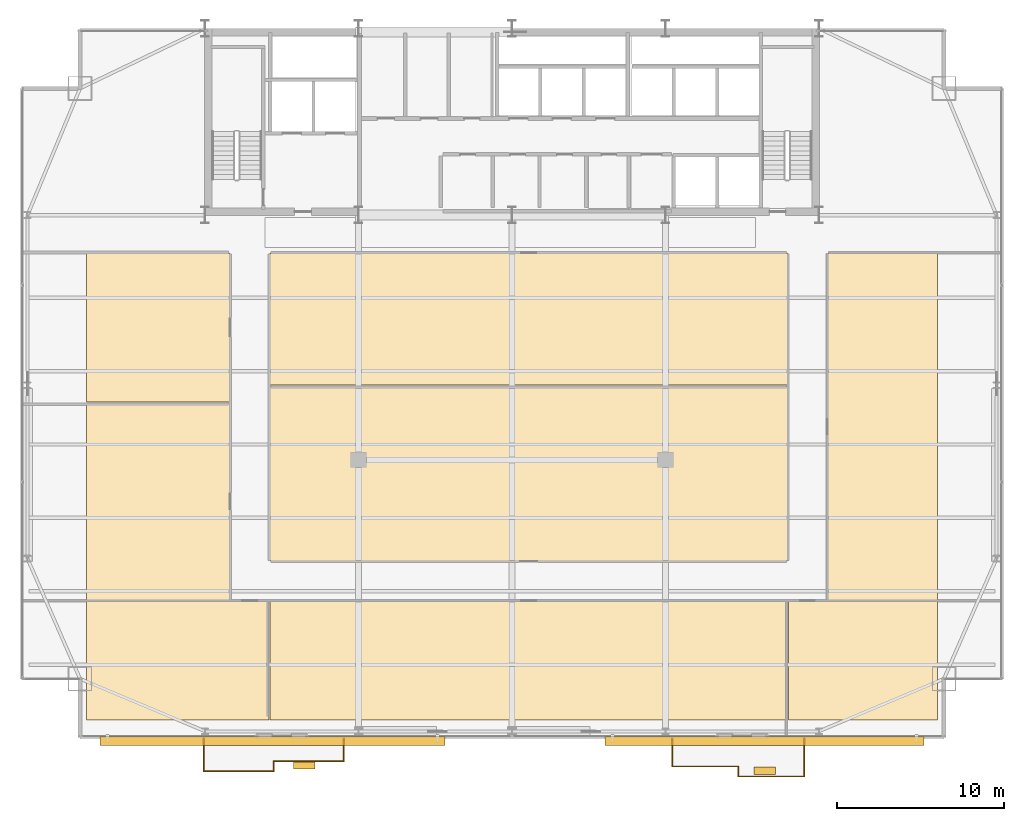
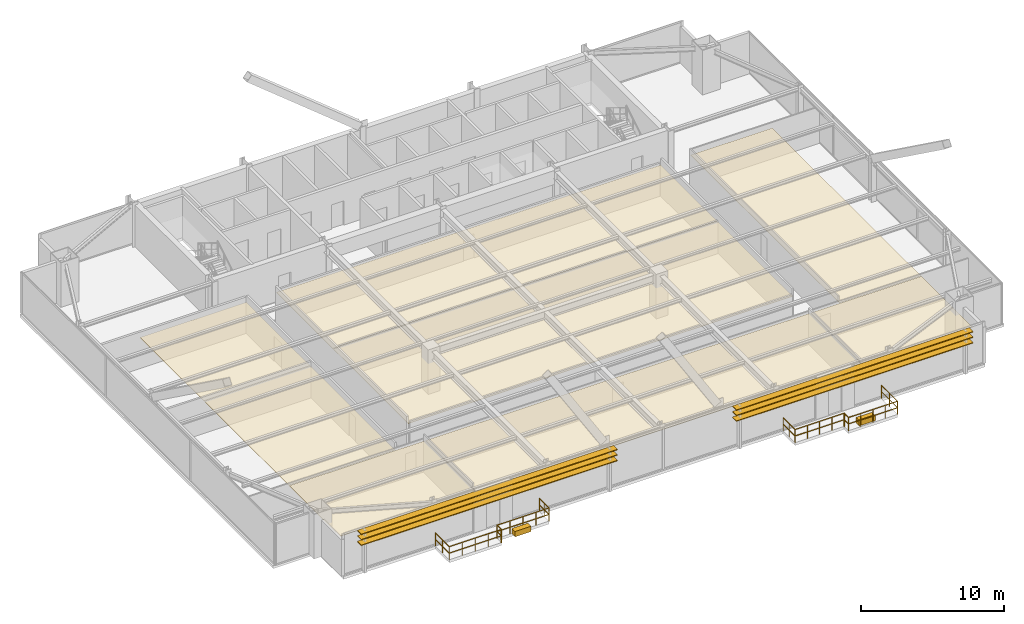
# One storey, part 36 of 37: 10 coverings, 10 railings, 6 shading devices.
"""IFC4 building model written with IfcOpenShell, lengths in metres."""

from ifc_helpers import new_model, si_unit, direction, frame, origin, origin_2d, place, context, subcontext, project, spatial, polyline, rectangle, outline, extrude, source, transform, mapped, material, layer, layer_set, type_object, type_shapes, element, save


model = new_model("IFC4")

# Units and contexts
model_context = context("Model", 3, precision=1e-05, world=origin(), true_north=direction((0.0, 1.0)))
body_context = subcontext(model_context, "Body", "Model", "MODEL_VIEW")
ifc_project = project(units=[si_unit("LENGTHUNIT", "METRE"), si_unit("AREAUNIT", "SQUARE_METRE"), si_unit("VOLUMEUNIT", "CUBIC_METRE"), si_unit("PLANEANGLEUNIT", "RADIAN"), si_unit("MASSUNIT", "GRAM", prefix="KILO")], contexts=[model_context])

# Site, building, storey
site_placement = place(None, origin())
site = spatial("IfcSite", under=ifc_project, at=site_placement, CompositionType="ELEMENT")
building_placement = place(site_placement, origin())
building = spatial("IfcBuilding", under=site, at=building_placement, Name="Varnel Quay Broadcast Tower", CompositionType="ELEMENT")
storey_placement = place(building_placement, frame((0.0, 0.0, 106.800048828125)))
storey = spatial("IfcBuildingStorey", under=building, at=storey_placement, Name="L25", CompositionType="ELEMENT", Elevation=106.800048828125)

# Coverings
ifc_material_1 = material(Name="Micro-Perforated Acoustic Ceiling Tile")
ifc_layer_1 = layer(ifc_material_1, 0.0400390625, Name="Micro-Perforated Acoustic Ceiling Tile")
ifc_layer_set_1 = layer_set([ifc_layer_1], Name="Micro-Perforated Acoustic Ceiling Tile")
covering_type_1 = type_object("IfcCoveringType", Name="Cov_AcousticCeiling", PredefinedType="CEILING", material=ifc_layer_set_1)
covering_1_placement = place(storey_placement, frame((0.0, 0.0, 2.579833984375)))
element("IfcCovering", 1, at=covering_1_placement, inside=storey, type_object=covering_type_1, Name="L25 Media Tape Archive Store 1 Acoustic Ceiling", PredefinedType="CEILING", context=body_context, shape_type="SweptSolid", body=[
    extrude(outline(polyline([(8.485107421875, 5.324951171875), (19.4150390625, 5.324951171875), (19.4150390625, 12.445068359375), (8.485107421875, 12.445068359375), (8.485107421875, 5.324951171875)])), origin(), (0.0, 0.0, 1.0), 0.0400390625),
])
covering_2_placement = place(storey_placement, frame((0.0, 0.0, 2.579833984375)))
element("IfcCovering", 2, at=covering_2_placement, inside=storey, type_object=covering_type_1, Name="L25 Lens & Rigging Store 2 Acoustic Ceiling", PredefinedType="CEILING", context=body_context, shape_type="SweptSolid", body=[
    extrude(outline(polyline([(19.485107421875, 5.324951171875), (50.514892578125, 5.324951171875), (50.514892578125, 12.445068359375), (19.485107421875, 12.445068359375), (19.485107421875, 5.324951171875)])), origin(), (0.0, 0.0, 1.0), 0.0400390625),
])
covering_3_placement = place(storey_placement, frame((0.0, 0.0, 2.579833984375)))
element("IfcCovering", 3, at=covering_3_placement, inside=storey, type_object=covering_type_1, Name="L25 Ingest Vault Store 3 Acoustic Ceiling", PredefinedType="CEILING", context=body_context, shape_type="SweptSolid", body=[
    extrude(outline(polyline([(50.5849609375, 5.324951171875), (59.514892578125, 5.324951171875), (59.514892578125, 12.445068359375), (50.5849609375, 12.445068359375), (50.5849609375, 5.324951171875)])), origin(), (0.0, 0.0, 1.0), 0.0400390625),
])
covering_4_placement = place(storey_placement, frame((0.0, 0.0, 2.579833984375)))
element("IfcCovering", 4, at=covering_4_placement, inside=storey, type_object=covering_type_1, Name="L25 Color Timing Suite 4 Acoustic Ceiling", PredefinedType="CEILING", context=body_context, shape_type="SweptSolid", body=[
    extrude(outline(polyline([(8.485107421875, 12.514892578125), (17.06494140625, 12.514892578125), (17.06494140625, 24.324951171875), (8.485107421875, 24.324951171875), (8.485107421875, 12.514892578125)])), origin(), (0.0, 0.0, 1.0), 0.0400390625),
])
covering_5_placement = place(storey_placement, frame((0.0, 0.0, 2.579833984375)))
element("IfcCovering", 5, at=covering_5_placement, inside=storey, type_object=covering_type_1, Name="L25 Screening Meeting Room 5 Acoustic Ceiling", PredefinedType="CEILING", context=body_context, shape_type="SweptSolid", body=[
    extrude(outline(polyline([(8.485107421875, 24.39501953125), (17.06494140625, 24.39501953125), (17.06494140625, 33.31494140625), (8.485107421875, 33.31494140625), (8.485107421875, 24.39501953125)])), origin(), (0.0, 0.0, 1.0), 0.0400390625),
])
covering_6_placement = place(storey_placement, frame((0.0, 0.0, 2.579833984375)))
element("IfcCovering", 6, at=covering_6_placement, inside=storey, type_object=covering_type_1, Name="L25 Producer Lounge 6 Acoustic Ceiling", PredefinedType="CEILING", context=body_context, shape_type="SweptSolid", body=[
    extrude(outline(polyline([(19.485107421875, 14.864990234375), (50.514892578125, 14.864990234375), (50.514892578125, 25.3349609375), (19.485107421875, 25.3349609375), (19.485107421875, 14.864990234375)])), origin(), (0.0, 0.0, 1.0), 0.0400390625),
])
covering_7_placement = place(storey_placement, frame((0.0, 0.0, 2.579833984375)))
element("IfcCovering", 7, at=covering_7_placement, inside=storey, type_object=covering_type_1, Name="L25 Tea Kitchen 7 Acoustic Ceiling", PredefinedType="CEILING", context=body_context, shape_type="SweptSolid", body=[
    extrude(outline(polyline([(19.485107421875, 25.405029296875), (50.514892578125, 25.405029296875), (50.514892578125, 33.31494140625), (19.485107421875, 33.31494140625), (19.485107421875, 25.405029296875)])), origin(), (0.0, 0.0, 1.0), 0.0400390625),
])
covering_8_placement = place(storey_placement, frame((0.0, 0.0, 2.579833984375)))
element("IfcCovering", 8, at=covering_8_placement, inside=storey, type_object=covering_type_1, Name="L25 Media Tape Archive Store 8 Acoustic Ceiling", PredefinedType="CEILING", context=body_context, shape_type="SweptSolid", body=[
    extrude(outline(polyline([(52.93505859375, 12.514892578125), (59.514892578125, 12.514892578125), (59.514892578125, 33.31494140625), (52.93505859375, 33.31494140625), (52.93505859375, 12.514892578125)])), origin(), (0.0, 0.0, 1.0), 0.0400390625),
])

# Railings
ifc_material_2 = material(Name="Anodised Bronze Aluminium 6063-T6", Category="aluminium")
railing_type = type_object("IfcRailingType", Name="Rail_Balustrade1150", PredefinedType="BALUSTRADE", material=ifc_material_2)
railing_1_placement = place(storey_placement, frame((15.52001953125, 2.260986328125, 0.0)))
element("IfcRailing", 9, at=railing_1_placement, inside=storey, type_object=railing_type, Name="L25 Terrace 1 Guard 1", PredefinedType="BALUSTRADE", context=body_context, shape_type="SweptSolid", body=[
    extrude(rectangle(XDim=0.048095703125, YDim=0.048095703125, at=origin_2d()), frame((0.0, 0.0, 1.1259765625), z_axis=(1.0, 0.0, 0.0), x_axis=(0.0, 1.0, 0.0)), (0.0, 0.0, 1.0), 4.199951171875),
    extrude(rectangle(XDim=0.048095703125, YDim=0.048095703125, at=origin_2d()), frame((0.0, 0.0, 0.574951171875), z_axis=(1.0, 0.0, 0.0), x_axis=(0.0, 1.0, 0.0)), (0.0, 0.0, 1.0), 4.199951171875),
    extrude(rectangle(XDim=0.0419921875, YDim=0.0419921875, at=origin_2d()), origin(), (0.0, 0.0, 1.0), 1.101806640625),
    extrude(rectangle(XDim=0.0419921875, YDim=0.0419921875, at=origin_2d()), frame((1.050048828125, 0.0, 0.0)), (0.0, 0.0, 1.0), 1.101806640625),
    extrude(rectangle(XDim=0.0419921875, YDim=0.0419921875, at=origin_2d()), frame((2.10009765625, 0.0, 0.0)), (0.0, 0.0, 1.0), 1.101806640625),
    extrude(rectangle(XDim=0.0419921875, YDim=0.0419921875, at=origin_2d()), frame((3.14990234375, 0.0, 0.0)), (0.0, 0.0, 1.0), 1.101806640625),
    extrude(rectangle(XDim=0.0419921875, YDim=0.0419921875, at=origin_2d()), frame((4.199951171875, 0.0, 0.0)), (0.0, 0.0, 1.0), 1.101806640625),
])
railing_2_placement = place(storey_placement, frame((19.719970703125, 2.260986328125, 0.0)))
element("IfcRailing", 10, at=railing_2_placement, inside=storey, type_object=railing_type, Name="L25 Terrace 1 Guard 2", PredefinedType="BALUSTRADE", context=body_context, shape_type="SweptSolid", body=[
    extrude(rectangle(XDim=0.048095703125, YDim=0.048095703125, at=origin_2d()), frame((0.0, 0.0, 1.1259765625), z_axis=(0.0, 1.0, 0.0), x_axis=(-1.0, 0.0, 0.0)), (0.0, 0.0, 1.0), 0.60009765625),
    extrude(rectangle(XDim=0.048095703125, YDim=0.048095703125, at=origin_2d()), frame((0.0, 0.0, 0.574951171875), z_axis=(0.0, 1.0, 0.0), x_axis=(-1.0, 0.0, 0.0)), (0.0, 0.0, 1.0), 0.60009765625),
    extrude(rectangle(XDim=0.0419921875, YDim=0.0419921875, at=origin_2d()), origin(), (0.0, 0.0, 1.0), 1.101806640625),
    extrude(rectangle(XDim=0.0419921875, YDim=0.0419921875, at=origin_2d()), frame((0.0, 0.60009765625, 0.0)), (0.0, 0.0, 1.0), 1.101806640625),
])
railing_3_placement = place(storey_placement, frame((19.719970703125, 2.861083984375, 0.0)))
element("IfcRailing", 11, at=railing_3_placement, inside=storey, type_object=railing_type, Name="L25 Terrace 1 Guard 3", PredefinedType="BALUSTRADE", context=body_context, shape_type="SweptSolid", body=[
    extrude(rectangle(XDim=0.048095703125, YDim=0.048095703125, at=origin_2d()), frame((0.0, 0.0, 1.1259765625), z_axis=(1.0, 0.0, 0.0), x_axis=(0.0, 1.0, 0.0)), (0.0, 0.0, 1.0), 4.199951171875),
    extrude(rectangle(XDim=0.048095703125, YDim=0.048095703125, at=origin_2d()), frame((0.0, 0.0, 0.574951171875), z_axis=(1.0, 0.0, 0.0), x_axis=(0.0, 1.0, 0.0)), (0.0, 0.0, 1.0), 4.199951171875),
    extrude(rectangle(XDim=0.0419921875, YDim=0.0419921875, at=origin_2d()), origin(), (0.0, 0.0, 1.0), 1.101806640625),
    extrude(rectangle(XDim=0.0419921875, YDim=0.0419921875, at=origin_2d()), frame((1.050048828125, 0.0, 0.0)), (0.0, 0.0, 1.0), 1.101806640625),
    extrude(rectangle(XDim=0.0419921875, YDim=0.0419921875, at=origin_2d()), frame((2.10009765625, 0.0, 0.0)), (0.0, 0.0, 1.0), 1.101806640625),
    extrude(rectangle(XDim=0.0419921875, YDim=0.0419921875, at=origin_2d()), frame((3.14990234375, 0.0, 0.0)), (0.0, 0.0, 1.0), 1.101806640625),
    extrude(rectangle(XDim=0.0419921875, YDim=0.0419921875, at=origin_2d()), frame((4.199951171875, 0.0, 0.0)), (0.0, 0.0, 1.0), 1.101806640625),
])
railing_4_placement = place(storey_placement, frame((23.919921875, 2.861083984375, 0.0)))
element("IfcRailing", 12, at=railing_4_placement, inside=storey, type_object=railing_type, Name="L25 Terrace 1 Guard 4", PredefinedType="BALUSTRADE", context=body_context, shape_type="SweptSolid", body=[
    extrude(rectangle(XDim=0.048095703125, YDim=0.048095703125, at=origin_2d()), frame((0.0, 0.0, 1.1259765625), z_axis=(0.0, 1.0, 0.0), x_axis=(-1.0, 0.0, 0.0)), (0.0, 0.0, 1.0), 1.3388671875),
    extrude(rectangle(XDim=0.048095703125, YDim=0.048095703125, at=origin_2d()), frame((0.0, 0.0, 0.574951171875), z_axis=(0.0, 1.0, 0.0), x_axis=(-1.0, 0.0, 0.0)), (0.0, 0.0, 1.0), 1.3388671875),
    extrude(rectangle(XDim=0.0419921875, YDim=0.0419921875, at=origin_2d()), origin(), (0.0, 0.0, 1.0), 1.101806640625),
    extrude(rectangle(XDim=0.0419921875, YDim=0.0419921875, at=origin_2d()), frame((0.0, 0.66943359375, 0.0)), (0.0, 0.0, 1.0), 1.101806640625),
    extrude(rectangle(XDim=0.0419921875, YDim=0.0419921875, at=origin_2d()), frame((0.0, 1.3388671875, 0.0)), (0.0, 0.0, 1.0), 1.101806640625),
])
railing_5_placement = place(storey_placement, frame((15.52001953125, 4.199951171875, 0.0)))
element("IfcRailing", 13, at=railing_5_placement, inside=storey, type_object=railing_type, Name="L25 Terrace 1 Guard 6", PredefinedType="BALUSTRADE", context=body_context, shape_type="SweptSolid", body=[
    extrude(rectangle(XDim=0.048095703125, YDim=0.048095703125, at=origin_2d()), frame((0.0, 0.0, 1.1259765625), z_axis=(0.0, -1.0, 0.0), x_axis=(1.0, 0.0, 0.0)), (0.0, 0.0, 1.0), 1.93896484375),
    extrude(rectangle(XDim=0.048095703125, YDim=0.048095703125, at=origin_2d()), frame((0.0, 0.0, 0.574951171875), z_axis=(0.0, -1.0, 0.0), x_axis=(1.0, 0.0, 0.0)), (0.0, 0.0, 1.0), 1.93896484375),
    extrude(rectangle(XDim=0.0419921875, YDim=0.0419921875, at=origin_2d()), origin(), (0.0, 0.0, 1.0), 1.101806640625),
    extrude(rectangle(XDim=0.0419921875, YDim=0.0419921875, at=origin_2d()), frame((0.0, -0.969482421875, 0.0)), (0.0, 0.0, 1.0), 1.101806640625),
    extrude(rectangle(XDim=0.0419921875, YDim=0.0419921875, at=origin_2d()), frame((0.0, -1.93896484375, 0.0)), (0.0, 0.0, 1.0), 1.101806640625),
])
railing_6_placement = place(storey_placement, frame((43.60009765625, 2.5390625, 0.0)))
element("IfcRailing", 14, at=railing_6_placement, inside=storey, type_object=railing_type, Name="L25 Terrace 2 Guard 1", PredefinedType="BALUSTRADE", context=body_context, shape_type="SweptSolid", body=[
    extrude(rectangle(XDim=0.048095703125, YDim=0.048095703125, at=origin_2d()), frame((0.0, 0.0, 1.1259765625), z_axis=(1.0, 0.0, 0.0), x_axis=(0.0, 1.0, 0.0)), (0.0, 0.0, 1.0), 3.9599609375),
    extrude(rectangle(XDim=0.048095703125, YDim=0.048095703125, at=origin_2d()), frame((0.0, 0.0, 0.574951171875), z_axis=(1.0, 0.0, 0.0), x_axis=(0.0, 1.0, 0.0)), (0.0, 0.0, 1.0), 3.9599609375),
    extrude(rectangle(XDim=0.0419921875, YDim=0.0419921875, at=origin_2d()), origin(), (0.0, 0.0, 1.0), 1.101806640625),
    extrude(rectangle(XDim=0.0419921875, YDim=0.0419921875, at=origin_2d()), frame((0.989990234375, 0.0, 0.0)), (0.0, 0.0, 1.0), 1.101806640625),
    extrude(rectangle(XDim=0.0419921875, YDim=0.0419921875, at=origin_2d()), frame((1.97998046875, 0.0, 0.0)), (0.0, 0.0, 1.0), 1.101806640625),
    extrude(rectangle(XDim=0.0419921875, YDim=0.0419921875, at=origin_2d()), frame((2.969970703125, 0.0, 0.0)), (0.0, 0.0, 1.0), 1.101806640625),
    extrude(rectangle(XDim=0.0419921875, YDim=0.0419921875, at=origin_2d()), frame((3.9599609375, 0.0, 0.0)), (0.0, 0.0, 1.0), 1.101806640625),
])
railing_7_placement = place(storey_placement, frame((47.56005859375, 2.5390625, 0.0)))
element("IfcRailing", 15, at=railing_7_placement, inside=storey, type_object=railing_type, Name="L25 Terrace 2 Guard 2", PredefinedType="BALUSTRADE", context=body_context, shape_type="SweptSolid", body=[
    extrude(rectangle(XDim=0.048095703125, YDim=0.048095703125, at=origin_2d()), frame((0.0, 0.0, 1.1259765625), z_axis=(0.0, -1.0, 0.0), x_axis=(1.0, 0.0, 0.0)), (0.0, 0.0, 1.0), 0.60009765625),
    extrude(rectangle(XDim=0.048095703125, YDim=0.048095703125, at=origin_2d()), frame((0.0, 0.0, 0.574951171875), z_axis=(0.0, -1.0, 0.0), x_axis=(1.0, 0.0, 0.0)), (0.0, 0.0, 1.0), 0.60009765625),
    extrude(rectangle(XDim=0.0419921875, YDim=0.0419921875, at=origin_2d()), origin(), (0.0, 0.0, 1.0), 1.101806640625),
    extrude(rectangle(XDim=0.0419921875, YDim=0.0419921875, at=origin_2d()), frame((0.0, -0.60009765625, 0.0)), (0.0, 0.0, 1.0), 1.101806640625),
])
railing_8_placement = place(storey_placement, frame((47.56005859375, 1.93896484375, 0.0)))
element("IfcRailing", 16, at=railing_8_placement, inside=storey, type_object=railing_type, Name="L25 Terrace 2 Guard 3", PredefinedType="BALUSTRADE", context=body_context, shape_type="SweptSolid", body=[
    extrude(rectangle(XDim=0.048095703125, YDim=0.048095703125, at=origin_2d()), frame((0.0, 0.0, 1.1259765625), z_axis=(1.0, 0.0, 0.0), x_axis=(0.0, 1.0, 0.0)), (0.0, 0.0, 1.0), 3.9599609375),
    extrude(rectangle(XDim=0.048095703125, YDim=0.048095703125, at=origin_2d()), frame((0.0, 0.0, 0.574951171875), z_axis=(1.0, 0.0, 0.0), x_axis=(0.0, 1.0, 0.0)), (0.0, 0.0, 1.0), 3.9599609375),
    extrude(rectangle(XDim=0.0419921875, YDim=0.0419921875, at=origin_2d()), origin(), (0.0, 0.0, 1.0), 1.101806640625),
    extrude(rectangle(XDim=0.0419921875, YDim=0.0419921875, at=origin_2d()), frame((0.989990234375, 0.0, 0.0)), (0.0, 0.0, 1.0), 1.101806640625),
    extrude(rectangle(XDim=0.0419921875, YDim=0.0419921875, at=origin_2d()), frame((1.97998046875, 0.0, 0.0)), (0.0, 0.0, 1.0), 1.101806640625),
    extrude(rectangle(XDim=0.0419921875, YDim=0.0419921875, at=origin_2d()), frame((2.969970703125, 0.0, 0.0)), (0.0, 0.0, 1.0), 1.101806640625),
    extrude(rectangle(XDim=0.0419921875, YDim=0.0419921875, at=origin_2d()), frame((3.9599609375, 0.0, 0.0)), (0.0, 0.0, 1.0), 1.101806640625),
])
railing_9_placement = place(storey_placement, frame((51.52001953125, 1.93896484375, 0.0)))
element("IfcRailing", 17, at=railing_9_placement, inside=storey, type_object=railing_type, Name="L25 Terrace 2 Guard 4", PredefinedType="BALUSTRADE", context=body_context, shape_type="SweptSolid", body=[
    extrude(rectangle(XDim=0.048095703125, YDim=0.048095703125, at=origin_2d()), frame((0.0, 0.0, 1.1259765625), z_axis=(0.0, 1.0, 0.0), x_axis=(-1.0, 0.0, 0.0)), (0.0, 0.0, 1.0), 2.260986328125),
    extrude(rectangle(XDim=0.048095703125, YDim=0.048095703125, at=origin_2d()), frame((0.0, 0.0, 0.574951171875), z_axis=(0.0, 1.0, 0.0), x_axis=(-1.0, 0.0, 0.0)), (0.0, 0.0, 1.0), 2.260986328125),
    extrude(rectangle(XDim=0.0419921875, YDim=0.0419921875, at=origin_2d()), origin(), (0.0, 0.0, 1.0), 1.101806640625),
    extrude(rectangle(XDim=0.0419921875, YDim=0.0419921875, at=origin_2d()), frame((0.0, 1.13037109375, 0.0)), (0.0, 0.0, 1.0), 1.101806640625),
    extrude(rectangle(XDim=0.0419921875, YDim=0.0419921875, at=origin_2d()), frame((0.0, 2.260986328125, 0.0)), (0.0, 0.0, 1.0), 1.101806640625),
])
railing_10_placement = place(storey_placement, frame((43.60009765625, 4.199951171875, 0.0)))
element("IfcRailing", 18, at=railing_10_placement, inside=storey, type_object=railing_type, Name="L25 Terrace 2 Guard 6", PredefinedType="BALUSTRADE", context=body_context, shape_type="SweptSolid", body=[
    extrude(rectangle(XDim=0.048095703125, YDim=0.048095703125, at=origin_2d()), frame((0.0, 0.0, 1.1259765625), z_axis=(0.0, -1.0, 0.0), x_axis=(1.0, 0.0, 0.0)), (0.0, 0.0, 1.0), 1.660888671875),
    extrude(rectangle(XDim=0.048095703125, YDim=0.048095703125, at=origin_2d()), frame((0.0, 0.0, 0.574951171875), z_axis=(0.0, -1.0, 0.0), x_axis=(1.0, 0.0, 0.0)), (0.0, 0.0, 1.0), 1.660888671875),
    extrude(rectangle(XDim=0.0419921875, YDim=0.0419921875, at=origin_2d()), origin(), (0.0, 0.0, 1.0), 1.101806640625),
    extrude(rectangle(XDim=0.0419921875, YDim=0.0419921875, at=origin_2d()), frame((0.0, -0.83056640625, 0.0)), (0.0, 0.0, 1.0), 1.101806640625),
    extrude(rectangle(XDim=0.0419921875, YDim=0.0419921875, at=origin_2d()), frame((0.0, -1.660888671875, 0.0)), (0.0, 0.0, 1.0), 1.101806640625),
])

# Coverings
ifc_material_3 = material(Name="Bronze-Terracotta Extruded Ceramic Blade", Category="masonry")
ifc_layer_2 = layer(ifc_material_3, 0.449951171875, Name="Bronze-Terracotta Extruded Ceramic Blade")
ifc_layer_set_2 = layer_set([ifc_layer_2], Name="Bronze-Terracotta Extruded Ceramic Blade")
covering_type_2 = type_object("IfcCoveringType", Name="Cov_BronzePlanter", PredefinedType="CLADDING", material=ifc_layer_set_2)
shared_shape_1 = source(origin(), body_context, "Body", "SweptSolid", [
    extrude(rectangle(XDim=1.300048828125, YDim=0.449951171875, at=origin_2d()), origin(), (0.0, 0.0, 1.0), 0.449951171875),
])
type_shapes(covering_type_2, [shared_shape_1])
for number, where, z_axis, x_axis, name in (
    (19, (21.550048828125, 2.611083984375, 0.0), (0.0, 0.0, 1.0), (1.0, 0.0, 0.0), "L25 Terrace 1 Bronze Planter"),
    (20, (49.14990234375, 2.2890625, 0.0), (0.0, 0.0, 1.0), (1.0, 0.0, 0.0), "L25 Terrace 2 Bronze Planter"),
):
    element("IfcCovering", number, at=place(storey_placement, frame(where, z_axis=z_axis, x_axis=x_axis)), inside=storey, type_object=covering_type_2, Name=name, PredefinedType="CLADDING", context=body_context, shape_type="MappedRepresentation", body=[
        mapped(shared_shape_1, transform((0.0, 0.0, 0.0), x_axis=(1.0, 0.0, 0.0), y_axis=(0.0, 1.0, 0.0), z_axis=(0.0, 0.0, 1.0), scale=1.0)),
    ])

# Shading devices
ifc_layer_3 = layer(ifc_material_3, 0.06494140625, Name="Bronze-Terracotta Extruded Ceramic Blade")
ifc_layer_set_3 = layer_set([ifc_layer_3], Name="Bronze-Terracotta Extruded Ceramic Blade")
shading_device_type = type_object("IfcShadingDeviceType", Name="Shade_LouvreBlade550", PredefinedType="JALOUSIE", material=ifc_layer_set_3)
shared_shape_2 = source(origin(), body_context, "Body", "SweptSolid", [
    extrude(rectangle(XDim=20.678955078125, YDim=0.550048828125, at=origin_2d()), origin(), (0.0, 0.0, 1.0), 0.06494140625),
])
for number, where, z_axis, x_axis, name in (
    (21, (19.638916015625, 4.06005859375, 2.447509765625), (0.0, 0.0, 1.0), (1.0, 0.0, 0.0), "L25 Lobe 1 Horizontal Louvre Blade 1"),
    (22, (19.638916015625, 4.06005859375, 2.927490234375), (0.0, 0.0, 1.0), (1.0, 0.0, 0.0), "L25 Lobe 1 Horizontal Louvre Blade 2"),
    (23, (19.638916015625, 4.06005859375, 3.387451171875), (0.0, 0.0, 1.0), (1.0, 0.0, 0.0), "L25 Lobe 1 Horizontal Louvre Blade 3"),
):
    element("IfcShadingDevice", number, at=place(storey_placement, frame(where, z_axis=z_axis, x_axis=x_axis)), inside=storey, type_object=shading_device_type, Name=name, PredefinedType="JALOUSIE", context=body_context, shape_type="MappedRepresentation", body=[
        mapped(shared_shape_2, transform((0.0, 0.0, 0.0), x_axis=(1.0, 0.0, 0.0), y_axis=(0.0, 1.0, 0.0), z_axis=(0.0, 0.0, 1.0), scale=1.0)),
    ])
shared_shape_3 = source(origin(), body_context, "Body", "SweptSolid", [
    extrude(rectangle(XDim=19.12109375, YDim=0.550048828125, at=origin_2d()), origin(), (0.0, 0.0, 1.0), 0.06494140625),
])
type_shapes(shading_device_type, [shared_shape_2, shared_shape_3])
for number, where, z_axis, x_axis, name in (
    (24, (49.138916015625, 4.06005859375, 2.447509765625), (0.0, 0.0, 1.0), (1.0, 0.0, 0.0), "L25 Lobe 2 Horizontal Louvre Blade 1"),
    (25, (49.138916015625, 4.06005859375, 2.927490234375), (0.0, 0.0, 1.0), (1.0, 0.0, 0.0), "L25 Lobe 2 Horizontal Louvre Blade 2"),
    (26, (49.138916015625, 4.06005859375, 3.387451171875), (0.0, 0.0, 1.0), (1.0, 0.0, 0.0), "L25 Lobe 2 Horizontal Louvre Blade 3"),
):
    element("IfcShadingDevice", number, at=place(storey_placement, frame(where, z_axis=z_axis, x_axis=x_axis)), inside=storey, type_object=shading_device_type, Name=name, PredefinedType="JALOUSIE", context=body_context, shape_type="MappedRepresentation", body=[
        mapped(shared_shape_3, transform((0.0, 0.0, 0.0), x_axis=(1.0, 0.0, 0.0), y_axis=(0.0, 1.0, 0.0), z_axis=(0.0, 0.0, 1.0), scale=1.0)),
    ])

save(model, "model.ifc")
